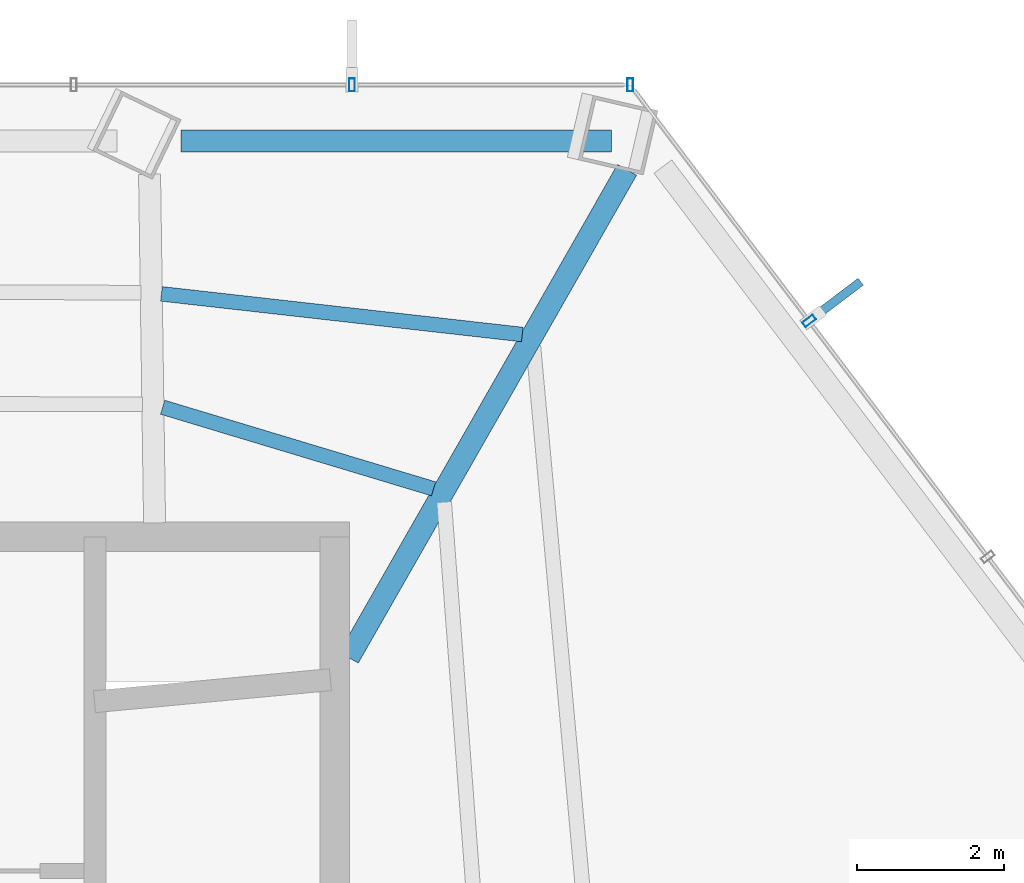
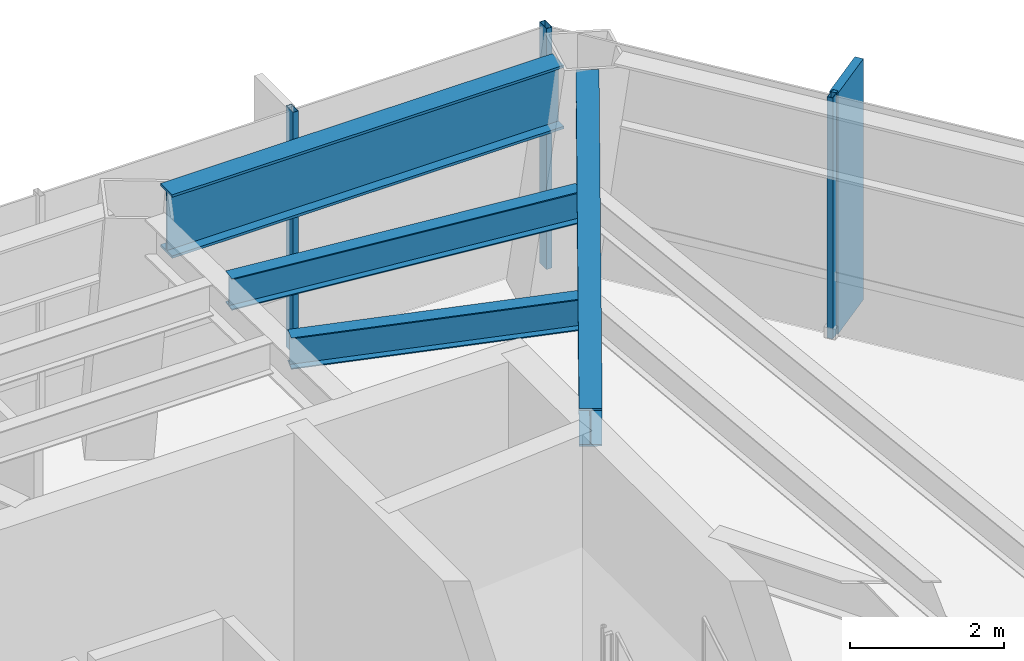
# One storey, part 20 of 26: 4 beams, 4 members, 2 elements without a shape of their own.
"""IFC4 building model written with IfcOpenShell, lengths in metres."""

from ifc_helpers import new_model, si_unit, direction, frame, origin, origin_2d, place, context, subcontext, project, spatial, rectangle, hollow_rectangle, i_section, extrude, material, layer, layer_set, material_profile, profile_set, type_object, element, aggregate, save


model = new_model("IFC4")

# Units and contexts
model_context = context("Model", 3, precision=1e-05, world=origin(), true_north=direction((0.0, 1.0)))
body_context = subcontext(model_context, "Body", "Model", "MODEL_VIEW")
ifc_project = project(units=[si_unit("LENGTHUNIT", "METRE"), si_unit("AREAUNIT", "SQUARE_METRE"), si_unit("VOLUMEUNIT", "CUBIC_METRE"), si_unit("PLANEANGLEUNIT", "RADIAN"), si_unit("MASSUNIT", "GRAM", prefix="KILO")], contexts=[model_context])

# Site, building, storey
site_placement = place(None, origin())
site = spatial("IfcSite", under=ifc_project, at=site_placement, CompositionType="ELEMENT")
building_placement = place(site_placement, origin())
building = spatial("IfcBuilding", under=site, at=building_placement, Name="Zarrinselat Tower", CompositionType="ELEMENT")
storey_placement = place(building_placement, frame((0.0, 0.0, 92.820068359375)))
storey = spatial("IfcBuildingStorey", under=building, at=storey_placement, Name="L22", CompositionType="ELEMENT", Elevation=92.820068359375)

# Beams
ifc_material_1 = material(Name="Steel S355J2", Category="steel")
ifc_material_profile_1 = material_profile(ifc_material_1, i_section(OverallWidth=0.300048828125, OverallDepth=0.60009765625, WebThickness=0.015380859375, FlangeThickness=0.030029296875, at=origin_2d()), Name="HEB 600")
ifc_profile_set_1 = profile_set([ifc_material_profile_1], Name="Steel S355J2")
beam_type_1 = type_object("IfcBeamType", Name="BM-HEB600", PredefinedType="BEAM", material=ifc_profile_set_1)
beam_1_placement = place(storey_placement, frame((48.449951171875, 41.800048828125, 3.52001953125), z_axis=(0.495483591923, 0.868617297856, 0.0), x_axis=(-0.868617297856, 0.495483591923, 0.0)))
element("IfcBeam", 1, at=beam_1_placement, inside=storey, type_object=beam_type_1, Name="L22 Radial Primary Girder RG01", PredefinedType="BEAM", context=body_context, shape_type="SweptSolid", body=[
    extrude(i_section(OverallWidth=0.300048828125, OverallDepth=0.60009765625, WebThickness=0.015380859375, FlangeThickness=0.030029296875, at=origin_2d()), origin(), (0.0, 0.0, 1.0), 7.66455078125),
])
ifc_material_2 = material(Name="Steel S460M", Category="steel")
ifc_material_profile_2 = material_profile(ifc_material_2, i_section(OverallWidth=0.302001953125, OverallDepth=1.008056640625, WebThickness=0.02099609375, FlangeThickness=0.0400390625, at=origin_2d()), Name="HEM 1000")
ifc_profile_set_2 = profile_set([ifc_material_profile_2], Name="Steel S460M")
beam_type_2 = type_object("IfcBeamType", Name="BM-HEM1000", PredefinedType="BEAM", material=ifc_profile_set_2)
beam_2_placement = place(storey_placement, frame((46.163330078125, 48.85009765625, 3.31591796875), z_axis=(1.0, 0.0, 0.0), x_axis=(0.0, 1.0, 0.0)))
element("IfcBeam", 2, at=beam_2_placement, inside=storey, type_object=beam_type_2, Name="L22 Perimeter Spandrel Girder SP01", PredefinedType="BEAM", context=body_context, shape_type="SweptSolid", body=[
    extrude(i_section(OverallWidth=0.302001953125, OverallDepth=1.008056640625, WebThickness=0.02099609375, FlangeThickness=0.0400390625, at=origin_2d()), origin(), (0.0, 0.0, 1.0), 5.8701171875),
])
ifc_material_3 = material(Name="Steel S355J2", Category="steel")
ifc_material_profile_3 = material_profile(ifc_material_3, i_section(OverallWidth=0.199951171875, OverallDepth=0.5, WebThickness=0.01025390625, FlangeThickness=0.01611328125, at=origin_2d()), Name="IPE 500")
ifc_profile_set_3 = profile_set([ifc_material_profile_3], Name="Steel S355J2")
beam_type_3 = type_object("IfcBeamType", Name="BM-IPE500", PredefinedType="JOIST", material=ifc_profile_set_3)
beam_3_placement = place(storey_placement, frame((45.89404296875, 46.7646484375, 3.56982421875), z_axis=(0.993706999259, -0.112010712091, 0.0), x_axis=(0.112010712091, 0.993706999259, 0.0)))
element("IfcBeam", 3, at=beam_3_placement, inside=storey, type_object=beam_type_3, Name="L22 Composite Floor Joist 6-1", PredefinedType="JOIST", context=body_context, shape_type="SweptSolid", body=[
    extrude(i_section(OverallWidth=0.199951171875, OverallDepth=0.5, WebThickness=0.01025390625, FlangeThickness=0.01611328125, at=origin_2d()), origin(), (0.0, 0.0, 1.0), 4.954345703125),
])
beam_4_placement = place(storey_placement, frame((45.910888671875, 45.21728515625, 3.56982421875), z_axis=(0.957512397505, -0.288392109156, 0.0), x_axis=(0.288392109156, 0.957512397505, 0.0)))
element("IfcBeam", 4, at=beam_4_placement, inside=storey, type_object=beam_type_3, Name="L22 Composite Floor Joist 6-2", PredefinedType="JOIST", context=body_context, shape_type="SweptSolid", body=[
    extrude(i_section(OverallWidth=0.199951171875, OverallDepth=0.5, WebThickness=0.01025390625, FlangeThickness=0.01611328125, at=origin_2d()), origin(), (0.0, 0.0, 1.0), 3.8603515625),
])

# Curtain wall, members
ifc_material_4 = material(Name="Extruded Aluminium Alloy EN AW-6063 T6", Category="aluminium")
ifc_layer = layer(ifc_material_4, 0.18505859375)
ifc_layer_set = layer_set([ifc_layer], Name="Extruded Aluminium Alloy EN AW-6063 T6")
curtain_wall_type = type_object("IfcCurtainWallType", Name="CWS-OFF", PredefinedType="NOTDEFINED", material=ifc_layer_set)
curtain_wall_1_placement = place(storey_placement, origin())
curtain_wall_1 = element("IfcCurtainWall", 5, at=curtain_wall_1_placement, inside=storey, type_object=curtain_wall_type, Name="L22 Unitised Curtain Wall CW-L22-E01", PredefinedType="NOTDEFINED")
ifc_material_5 = material(Name="Extruded Aluminium Alloy EN AW-6063 T6", Category="aluminium")
ifc_material_profile_4 = material_profile(ifc_material_5, hollow_rectangle(XDim=0.080078125, YDim=0.179931640625, WallThickness=0.0048828125, at=origin_2d()), Name="RHS 180x80x5")
ifc_profile_set_4 = profile_set([ifc_material_profile_4], Name="Extruded Aluminium Alloy EN AW-6063 T6")
member_type_1 = type_object("IfcMemberType", Name="MEM-CW-MUL", PredefinedType="MULLION", material=ifc_profile_set_4)
member_1_placement = place(storey_placement, frame((52.29150390625, 49.61669921875, 0.0), z_axis=(0.0, 0.0, 1.0), x_axis=(-1.0, 0.0, 0.0)))
member_1 = element("IfcMember", 6, at=member_1_placement, type_object=member_type_1, Name="CW-L22-E01 Mullion 0", PredefinedType="MULLION", context=body_context, shape_type="SweptSolid", body=[
    extrude(hollow_rectangle(XDim=0.080078125, YDim=0.179931640625, WallThickness=0.0048828125, at=origin_2d()), origin(), (0.0, 0.0, 1.0), 3.81982421875),
])
member_2_placement = place(storey_placement, frame((48.493408203125, 49.61669921875, 0.0), z_axis=(0.0, 0.0, 1.0), x_axis=(-1.0, 0.0, 0.0)))
member_2 = element("IfcMember", 7, at=member_2_placement, type_object=member_type_1, Name="CW-L22-E01 Mullion 1", PredefinedType="MULLION", context=body_context, shape_type="SweptSolid", body=[
    extrude(hollow_rectangle(XDim=0.080078125, YDim=0.179931640625, WallThickness=0.0048828125, at=origin_2d()), origin(), (0.0, 0.0, 1.0), 3.81982421875),
])
aggregate(curtain_wall_1, [member_1, member_2])

curtain_wall_2_placement = place(storey_placement, origin())
curtain_wall_2 = element("IfcCurtainWall", 8, at=curtain_wall_2_placement, inside=storey, type_object=curtain_wall_type, Name="L22 Unitised Curtain Wall CW-L22-E06", PredefinedType="NOTDEFINED")
member_3_placement = place(storey_placement, frame((54.731201171875, 46.396240234375, 0.0), z_axis=(0.0, 0.0, 1.0), x_axis=(-0.603858164533, 0.797091787141, 0.0)))
member_3 = element("IfcMember", 9, at=member_3_placement, type_object=member_type_1, Name="CW-L22-E06 Mullion 3", PredefinedType="MULLION", context=body_context, shape_type="SweptSolid", body=[
    extrude(hollow_rectangle(XDim=0.080078125, YDim=0.179931640625, WallThickness=0.0048828125, at=origin_2d()), origin(), (0.0, 0.0, 1.0), 3.81982421875),
])
ifc_material_6 = material(Name="Honed Cream Travertine Stone", Category="masonry")
ifc_material_profile_5 = material_profile(ifc_material_6, rectangle(XDim=0.1201171875, YDim=0.85009765625, at=origin_2d()), Name="FIN 850x120")
ifc_profile_set_5 = profile_set([ifc_material_profile_5], Name="Honed Cream Travertine Stone")
member_type_2 = type_object("IfcMemberType", Name="MEM-STONE-FIN", PredefinedType="USERDEFINED", material=ifc_profile_set_5)
member_4_placement = place(storey_placement, frame((55.097900390625, 46.674072265625, 0.0), z_axis=(0.0, 0.0, 1.0), x_axis=(0.603858164533, -0.797091787141, 0.0)))
member_4 = element("IfcMember", 10, at=member_4_placement, type_object=member_type_2, Name="L22 Stone Shading Fin CW-L22-E06-03", ObjectType="FIN", PredefinedType="USERDEFINED", context=body_context, shape_type="SweptSolid", body=[
    extrude(rectangle(XDim=0.1201171875, YDim=0.85009765625, at=origin_2d()), origin(), (0.0, 0.0, 1.0), 3.81982421875),
])
aggregate(curtain_wall_2, [member_3, member_4])

save(model, "model.ifc")
